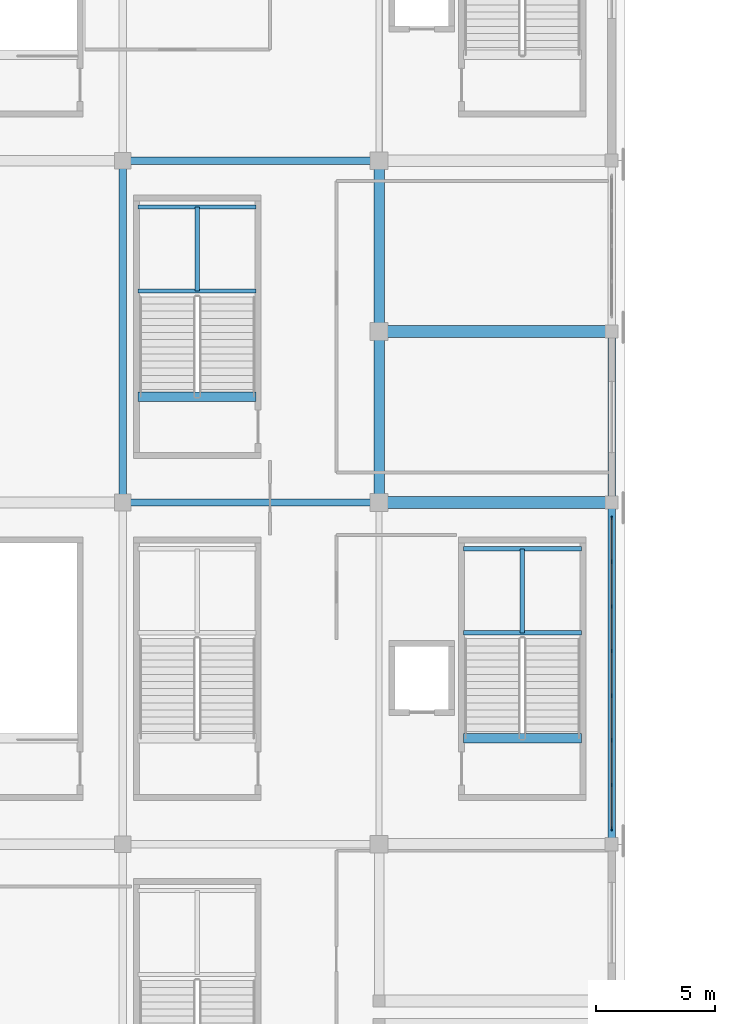
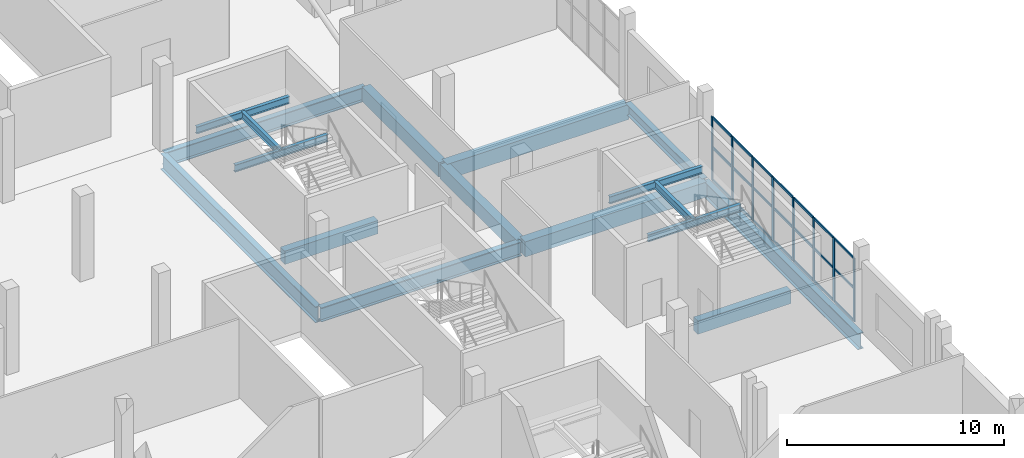
# One storey, part 43 of 129: 29 members, 17 beams, 1 element without a shape of its own.
"""IFC4 building model written with IfcOpenShell, lengths in metres."""

import ifcopenshell
import ifcopenshell.guid

model = None  # the IFC model being written
_history = None  # IfcOwnerHistory: only IFC2X3 demands one
_inside = {}  # id of a spatial element -> (the spatial element, [elements in it])
_under = {}  # id of a project, library or spatial element -> (it, [spatial elements below it])
_declared = {}  # id of a project -> (the project, [libraries it declares])
_typed = {}  # id of a type object -> (the type object, [elements of that type])
_made_of = {}  # id of a material, layer set ... -> (it, [elements and type objects made of it])


def new_model(schema):
    """Start an empty IFC model of exactly this schema.

    Asked for "IFC4X3", IfcOpenShell would pick the latest addendum, in which some entities
    have other attributes; the version numbers below select the first issue.
    IFC2X3 requires an IfcOwnerHistory on every rooted entity: one is made here for all.
    """
    global model, _history
    if schema == "IFC4X3":
        model = ifcopenshell.file(schema_version=(4, 3, 0, 0))
    else:
        model = ifcopenshell.file(schema=schema)
    _inside.clear()
    _under.clear()
    _declared.clear()
    _typed.clear()
    _made_of.clear()
    _history = None
    if model.schema == "IFC2X3":
        org = make("IfcOrganization", Name="unknown")
        user = make(
            "IfcPersonAndOrganization",
            ThePerson=make("IfcPerson", FamilyName="unknown"),
            TheOrganization=org,
        )
        app = make(
            "IfcApplication",
            ApplicationDeveloper=org,
            Version="unknown",
            ApplicationFullName="unknown",
            ApplicationIdentifier="unknown",
        )
        _history = make(
            "IfcOwnerHistory",
            OwningUser=user,
            OwningApplication=app,
            ChangeAction="ADDED",
            CreationDate=0,
        )
    return model


def make(cls, **values):
    """One entity of the class cls with the attributes given. An attribute that is None is left unset."""
    return model.create_entity(
        cls, **{name: value for name, value in values.items() if value is not None}
    )


def rooted(cls, **values):
    """An entity with a GlobalId (a new one), such as an element, a storey or a relation."""
    return make(cls, GlobalId=ifcopenshell.guid.new(), OwnerHistory=_history, **values)


def si_unit(unit_type, name, prefix=None):
    """IfcSIUnit, for example si_unit("LENGTHUNIT", "METRE", prefix="MILLI")."""
    return make("IfcSIUnit", UnitType=unit_type, Prefix=prefix, Name=name)


def assignment(units):
    """IfcUnitAssignment: the units of a project."""
    return None if units is None else make("IfcUnitAssignment", Units=units)


def point(xyz):
    """IfcCartesianPoint."""
    return None if xyz is None else make("IfcCartesianPoint", Coordinates=xyz)


def direction(xyz):
    """IfcDirection."""
    return None if xyz is None else make("IfcDirection", DirectionRatios=xyz)


def frame(location, z_axis=None, x_axis=None):
    """IfcAxis2Placement3D, a coordinate frame: its origin and axes. An axis left out is left unset."""
    return make(
        "IfcAxis2Placement3D",
        Location=point(location),
        Axis=direction(z_axis),
        RefDirection=direction(x_axis),
    )


def frame_2d(location, x_axis=None):
    """IfcAxis2Placement2D, a coordinate frame in the plane: its origin and x axis."""
    return make(
        "IfcAxis2Placement2D", Location=point(location), RefDirection=direction(x_axis)
    )


def origin():
    """The frame at (0, 0, 0) with its axes left unset."""
    return frame((0.0, 0.0, 0.0))


def origin_2d():
    """The frame at (0, 0) in the plane with its x axis left unset."""
    return frame_2d((0.0, 0.0))


def place(relative_to, where):
    """IfcLocalPlacement: puts the frame where relative to a parent placement (None: the world)."""
    return make(
        "IfcLocalPlacement", PlacementRelTo=relative_to, RelativePlacement=where
    )


def context(
    kind, dimensions, precision=None, world=None, true_north=None, identifier=None
):
    """IfcGeometricRepresentationContext, for example the 3D "Model" context."""
    return make(
        "IfcGeometricRepresentationContext",
        ContextIdentifier=identifier,
        ContextType=kind,
        CoordinateSpaceDimension=dimensions,
        Precision=precision,
        WorldCoordinateSystem=world,
        TrueNorth=true_north,
    )


def subcontext(parent, identifier, kind, view, scale=None):
    """IfcGeometricRepresentationSubContext, for example "Body" below "Model"."""
    return make(
        "IfcGeometricRepresentationSubContext",
        ContextIdentifier=identifier,
        ContextType=kind,
        ParentContext=parent,
        TargetScale=scale,
        TargetView=view,
    )


def project(units=None, contexts=None):
    """IfcProject with its units and contexts."""
    return rooted(
        "IfcProject",
        Name="project",
        RepresentationContexts=contexts,
        UnitsInContext=assignment(units),
    )


def spatial(cls, under=None, at=None, **own):
    """A site, building, storey or space (cls), placed at a placement, below another one or the project."""
    s = rooted(cls, ObjectPlacement=at, **own)
    if under is not None:
        _under.setdefault(under.id(), (under, []))[1].append(s)
    return s


def profile(cls, at=None, kind="AREA", **sizes):
    """A parametric profile (cls). Its sizes go by their IFC names, for example OverallWidth=200.0."""
    return make(cls, ProfileType=kind, Position=at, **sizes)


def rectangle(**sizes):
    """IfcRectangleProfileDef."""
    return profile("IfcRectangleProfileDef", **sizes)


def i_section(**sizes):
    """IfcIShapeProfileDef."""
    return profile("IfcIShapeProfileDef", **sizes)


def extrude(swept, where, along, depth):
    """IfcExtrudedAreaSolid: the profile swept, set in the frame where, extruded along a direction by depth."""
    return make(
        "IfcExtrudedAreaSolid",
        SweptArea=swept,
        Position=where,
        ExtrudedDirection=direction(along),
        Depth=depth,
    )


def shape(context_of_items, identifier, shape_type, items):
    """IfcShapeRepresentation: the items that make up one representation, for example the "Body"."""
    return make(
        "IfcShapeRepresentation",
        ContextOfItems=context_of_items,
        RepresentationIdentifier=identifier,
        RepresentationType=shape_type,
        Items=items,
    )


def material(Name=None, Category=None):
    """IfcMaterial."""
    return make("IfcMaterial", Name=Name, Category=Category)


def material_profile(
    of_material, cross_section, Name=None, Category=None, Priority=None
):
    """IfcMaterialProfile: a cross section and its material."""
    return make(
        "IfcMaterialProfile",
        Name=Name,
        Material=of_material,
        Profile=cross_section,
        Priority=Priority,
        Category=Category,
    )


def profile_set(profiles, Name=None, composite=None):
    """IfcMaterialProfileSet."""
    return make(
        "IfcMaterialProfileSet",
        Name=Name,
        MaterialProfiles=profiles,
        CompositeProfile=composite,
    )


def made_of(thing, what):
    """Note that an element or type object is made of a material, layer set ...; save() writes the relation."""
    if what is not None:
        _made_of.setdefault(what.id(), (what, []))[1].append(thing)
    return thing


def type_object(cls, material=None, **own):
    """A type object (cls), such as IfcWallType, which elements share."""
    return made_of(rooted(cls, **own), material)


def element(
    cls,
    number,
    at=None,
    inside=None,
    cuts=None,
    type_object=None,
    material=None,
    context=None,
    identifier="Body",
    shape_type=None,
    held_by="IfcProductDefinitionShape",
    body=None,
    shapes=None,
    **own,
):
    """One element of the class cls, such as IfcWall. Its Tag is "e" and its number.

    at: its placement. inside: the storey or other place that contains it. cuts: it is an
    opening in that element (IfcRelVoidsElement). A single representation is given by context,
    identifier, shape_type and body (its items); several are given by shapes. held_by: the class
    of the entity that holds the representations. save() writes the other relations.
    """
    e = rooted(cls, Tag="e%d" % number, ObjectPlacement=at, **own)
    if body is not None:
        shapes = [shape(context, identifier, shape_type, body)]
    if shapes is not None:
        e.Representation = make(held_by, Representations=shapes)
    if inside is not None:
        _inside.setdefault(inside.id(), (inside, []))[1].append(e)
    if cuts is not None:
        rooted(
            "IfcRelVoidsElement", RelatingBuildingElement=cuts, RelatedOpeningElement=e
        )
    if type_object is not None:
        _typed.setdefault(type_object.id(), (type_object, []))[1].append(e)
    return made_of(e, material)


def aggregate(whole, parts):
    """IfcRelAggregates: a whole, such as a stair, and the parts it consists of."""
    return rooted("IfcRelAggregates", RelatingObject=whole, RelatedObjects=parts)


def save(model, path):
    """Write the relations noted so far, then the file.

    IfcRelAggregates (storeys below a building ...), IfcRelContainedInSpatialStructure (elements
    in a storey), IfcRelDefinesByType, IfcRelAssociatesMaterial and IfcRelDeclares: one each for
    every whole, place, type object, material and project.
    """
    for whole, parts in _under.values():
        aggregate(whole, parts)
    for where, things in _inside.values():
        rooted(
            "IfcRelContainedInSpatialStructure",
            RelatedElements=things,
            RelatingStructure=where,
        )
    for kind, things in _typed.values():
        rooted("IfcRelDefinesByType", RelatedObjects=things, RelatingType=kind)
    for what, things in _made_of.values():
        rooted("IfcRelAssociatesMaterial", RelatedObjects=things, RelatingMaterial=what)
    for by, libraries in _declared.values():
        rooted("IfcRelDeclares", RelatingContext=by, RelatedDefinitions=libraries)
    model.write(path)


model = new_model("IFC4")

# Units and contexts
model_context = context("Model", 3, precision=1e-05, world=origin(), true_north=direction((0.0, 1.0)))
body_context = subcontext(model_context, "Body", "Model", "MODEL_VIEW")
ifc_project = project(units=[si_unit("LENGTHUNIT", "METRE"), si_unit("AREAUNIT", "SQUARE_METRE"), si_unit("VOLUMEUNIT", "CUBIC_METRE"), si_unit("PLANEANGLEUNIT", "RADIAN"), si_unit("MASSUNIT", "GRAM", prefix="KILO")], contexts=[model_context])

# Site, building, storey
site_placement = place(None, origin())
site = spatial("IfcSite", under=ifc_project, at=site_placement, CompositionType="ELEMENT")
building_placement = place(site_placement, origin())
building = spatial("IfcBuilding", under=site, at=building_placement, Name="Koshinbarg Plaza Stadium", CompositionType="ELEMENT")
storey_placement = place(building_placement, frame((0.0, 0.0, 5.39990234375)))
storey = spatial("IfcBuildingStorey", under=building, at=storey_placement, Name="L01", CompositionType="ELEMENT", Elevation=5.39990234375)

# Beams
ifc_material_1 = material(Name="Concrete C40/50", Category="concrete")
ifc_material_profile_1 = material_profile(ifc_material_1, rectangle(XDim=0.39990234375, YDim=0.75, at=origin_2d()), Name="RC 400x750")
ifc_profile_set_1 = profile_set([ifc_material_profile_1], Name="Concrete C40/50")
beam_type_1 = type_object("IfcBeamType", Name="BM-RCG-03", PredefinedType="USERDEFINED", material=ifc_profile_set_1)
beam_1_placement = place(storey_placement, frame((212.14990234375, 87.56005859375, -0.375), z_axis=(1.0, 0.0, 0.0), x_axis=(0.0, 1.0, 0.0)))
element("IfcBeam", 1, at=beam_1_placement, inside=storey, type_object=beam_type_1, Name="L01 stair landing header beam C09", ObjectType="GIRDER", PredefinedType="USERDEFINED", context=body_context, shape_type="SweptSolid", body=[
    extrude(rectangle(XDim=0.39990234375, YDim=0.75, at=origin_2d()), origin(), (0.0, 0.0, 1.0), 4.97021484375),
])
beam_2_placement = place(storey_placement, frame((198.449951171875, 101.9599609375, -0.375), z_axis=(1.0, 0.0, 0.0), x_axis=(0.0, 1.0, 0.0)))
element("IfcBeam", 2, at=beam_2_placement, inside=storey, type_object=beam_type_1, Name="L01 stair landing header beam VX12", ObjectType="GIRDER", PredefinedType="USERDEFINED", context=body_context, shape_type="SweptSolid", body=[
    extrude(rectangle(XDim=0.39990234375, YDim=0.75, at=origin_2d()), origin(), (0.0, 0.0, 1.0), 4.969970703125),
])
ifc_material_profile_2 = material_profile(ifc_material_1, rectangle(XDim=0.449951171875, YDim=0.800048828125, at=origin_2d()), Name="RC 450x800")
ifc_profile_set_2 = profile_set([ifc_material_profile_2], Name="Concrete C40/50")
beam_type_2 = type_object("IfcBeamType", Name="BM-RCG-04", PredefinedType="USERDEFINED", material=ifc_profile_set_2)
beam_3_placement = place(storey_placement, frame((208.60009765625, 97.56005859375, -0.719970703125), z_axis=(0.0, 1.0, 0.0), x_axis=(-1.0, 0.0, 0.0)))
element("IfcBeam", 3, at=beam_3_placement, inside=storey, type_object=beam_type_2, Name="L01 Y girder 20/N-P", ObjectType="GIRDER", PredefinedType="USERDEFINED", context=body_context, shape_type="SweptSolid", body=[
    extrude(rectangle(XDim=0.449951171875, YDim=0.800048828125, at=origin_2d()), origin(), (0.0, 0.0, 1.0), 7.079833984375),
])
beam_4_placement = place(storey_placement, frame((208.60009765625, 104.760009765625, -0.719970703125), z_axis=(0.0, 1.0, 0.0), x_axis=(-1.0, 0.0, 0.0)))
element("IfcBeam", 4, at=beam_4_placement, inside=storey, type_object=beam_type_2, Name="L01 Y girder 20/P-Q", ObjectType="GIRDER", PredefinedType="USERDEFINED", context=body_context, shape_type="SweptSolid", body=[
    extrude(rectangle(XDim=0.449951171875, YDim=0.800048828125, at=origin_2d()), origin(), (0.0, 0.0, 1.0), 7.080078125),
])
ifc_material_profile_3 = material_profile(ifc_material_1, rectangle(XDim=0.5, YDim=0.85009765625, at=origin_2d()), Name="RC 500x850")
ifc_profile_set_3 = profile_set([ifc_material_profile_3], Name="Concrete C40/50")
beam_type_3 = type_object("IfcBeamType", Name="BM-RCG-05", PredefinedType="USERDEFINED", material=ifc_profile_set_3)
for number, where, z_axis, x_axis, name in (
    (5, (208.659912109375, 97.5, -0.744873046875), (1.0, 0.0, 0.0), (0.0, 1.0, 0.0), "L01 X girder N/20-21"),
    (6, (208.659912109375, 104.699951171875, -0.744873046875), (1.0, 0.0, 0.0), (0.0, 1.0, 0.0), "L01 X girder P/20-21"),
):
    element("IfcBeam", number, at=place(storey_placement, frame(where, z_axis=z_axis, x_axis=x_axis)), inside=storey, type_object=beam_type_3, Name=name, ObjectType="GIRDER", PredefinedType="USERDEFINED", context=body_context, shape_type="SweptSolid", body=[
        extrude(rectangle(XDim=0.5, YDim=0.85009765625, at=origin_2d()), origin(), (0.0, 0.0, 1.0), 9.68017578125),
    ])
ifc_material_2 = material(Name="Steel S355", Category="steel")
ifc_material_profile_4 = material_profile(ifc_material_2, i_section(OverallWidth=0.179931640625, OverallDepth=0.39990234375, WebThickness=0.008544921875, FlangeThickness=0.013427734375, at=origin_2d()), Name="IPE 400")
ifc_profile_set_4 = profile_set([ifc_material_profile_4], Name="Steel S355")
beam_type_4 = type_object("IfcBeamType", Name="BM-SBM-01", PredefinedType="BEAM", material=ifc_profile_set_4)
for number, where, z_axis, x_axis, name in (
    (7, (212.14990234375, 92.010009765625, 1.880126953125), (1.0, 0.0, 0.0), (0.0, 1.0, 0.0), "L01 Protected Exit Stair C09 landing trimmer beam 1"),
    (8, (212.14990234375, 95.550048828125, 1.880126953125), (1.0, 0.0, 0.0), (0.0, 1.0, 0.0), "L01 Protected Exit Stair C09 landing trimmer beam 2"),
):
    element("IfcBeam", number, at=place(storey_placement, frame(where, z_axis=z_axis, x_axis=x_axis)), inside=storey, type_object=beam_type_4, Name=name, PredefinedType="BEAM", context=body_context, shape_type="SweptSolid", body=[
        extrude(i_section(OverallWidth=0.179931640625, OverallDepth=0.39990234375, WebThickness=0.008544921875, FlangeThickness=0.013427734375, at=origin_2d()), origin(), (0.0, 0.0, 1.0), 4.97021484375),
    ])
beam_5_placement = place(storey_placement, frame((214.635009765625, 92.010009765625, 1.880126953125), z_axis=(0.0, 1.0, 0.0), x_axis=(-1.0, 0.0, 0.0)))
element("IfcBeam", 9, at=beam_5_placement, inside=storey, type_object=beam_type_4, Name="L01 Protected Exit Stair C09 landing trimmer beam 3", PredefinedType="BEAM", context=body_context, shape_type="SweptSolid", body=[
    extrude(i_section(OverallWidth=0.179931640625, OverallDepth=0.39990234375, WebThickness=0.008544921875, FlangeThickness=0.013427734375, at=origin_2d()), origin(), (0.0, 0.0, 1.0), 3.5400390625),
])
for number, where, z_axis, x_axis, name in (
    (10, (198.449951171875, 106.409912109375, 1.880126953125), (1.0, 0.0, 0.0), (0.0, 1.0, 0.0), "L01 Upper Vomitory Stair VX12 landing trimmer beam 1"),
    (11, (198.449951171875, 109.949951171875, 1.880126953125), (1.0, 0.0, 0.0), (0.0, 1.0, 0.0), "L01 Upper Vomitory Stair VX12 landing trimmer beam 2"),
):
    element("IfcBeam", number, at=place(storey_placement, frame(where, z_axis=z_axis, x_axis=x_axis)), inside=storey, type_object=beam_type_4, Name=name, PredefinedType="BEAM", context=body_context, shape_type="SweptSolid", body=[
        extrude(i_section(OverallWidth=0.179931640625, OverallDepth=0.39990234375, WebThickness=0.008544921875, FlangeThickness=0.013427734375, at=origin_2d()), origin(), (0.0, 0.0, 1.0), 4.969970703125),
    ])
beam_6_placement = place(storey_placement, frame((200.93505859375, 106.409912109375, 1.880126953125), z_axis=(0.0, 1.0, 0.0), x_axis=(-1.0, 0.0, 0.0)))
element("IfcBeam", 12, at=beam_6_placement, inside=storey, type_object=beam_type_4, Name="L01 Upper Vomitory Stair VX12 landing trimmer beam 3", PredefinedType="BEAM", context=body_context, shape_type="SweptSolid", body=[
    extrude(i_section(OverallWidth=0.179931640625, OverallDepth=0.39990234375, WebThickness=0.008544921875, FlangeThickness=0.013427734375, at=origin_2d()), origin(), (0.0, 0.0, 1.0), 3.5400390625),
])
ifc_material_profile_5 = material_profile(ifc_material_2, i_section(OverallWidth=0.300048828125, OverallDepth=0.60009765625, WebThickness=0.015380859375, FlangeThickness=0.030029296875, at=origin_2d()), Name="HEB 600")
ifc_profile_set_5 = profile_set([ifc_material_profile_5], Name="Steel S355")
beam_type_5 = type_object("IfcBeamType", Name="BM-SGIR-02", PredefinedType="USERDEFINED", material=ifc_profile_set_5)
beam_7_placement = place(storey_placement, frame((218.39990234375, 97.56005859375, -0.619873046875), z_axis=(0.0, 1.0, 0.0), x_axis=(-1.0, 0.0, 0.0)))
element("IfcBeam", 13, at=beam_7_placement, inside=storey, type_object=beam_type_5, Name="L01 Y girder 21/N-P", ObjectType="GIRDER", PredefinedType="USERDEFINED", context=body_context, shape_type="SweptSolid", body=[
    extrude(i_section(OverallWidth=0.300048828125, OverallDepth=0.60009765625, WebThickness=0.015380859375, FlangeThickness=0.030029296875, at=origin_2d()), origin(), (0.0, 0.0, 1.0), 7.079833984375),
])
ifc_material_profile_6 = material_profile(ifc_material_2, i_section(OverallWidth=0.300048828125, OverallDepth=0.800048828125, WebThickness=0.017578125, FlangeThickness=0.032958984375, at=origin_2d()), Name="HEB 800")
ifc_profile_set_6 = profile_set([ifc_material_profile_6], Name="Steel S355")
beam_type_6 = type_object("IfcBeamType", Name="BM-SGIR-04", PredefinedType="USERDEFINED", material=ifc_profile_set_6)
for number, where, z_axis, x_axis, name in (
    (14, (197.860107421875, 97.5, -0.719970703125), (1.0, 0.0, 0.0), (0.0, 1.0, 0.0), "L01 X girder N/19-20"),
    (15, (197.860107421875, 111.89990234375, -0.719970703125), (1.0, 0.0, 0.0), (0.0, 1.0, 0.0), "L01 X girder Q/19-20"),
):
    element("IfcBeam", number, at=place(storey_placement, frame(where, z_axis=z_axis, x_axis=x_axis)), inside=storey, type_object=beam_type_6, Name=name, ObjectType="GIRDER", PredefinedType="USERDEFINED", context=body_context, shape_type="SweptSolid", body=[
        extrude(i_section(OverallWidth=0.300048828125, OverallDepth=0.800048828125, WebThickness=0.017578125, FlangeThickness=0.032958984375, at=origin_2d()), origin(), (0.0, 0.0, 1.0), 10.679931640625),
    ])
ifc_material_profile_7 = material_profile(ifc_material_2, i_section(OverallWidth=0.300048828125, OverallDepth=0.89990234375, WebThickness=0.0185546875, FlangeThickness=0.034912109375, at=origin_2d()), Name="HEB 900")
ifc_profile_set_7 = profile_set([ifc_material_profile_7], Name="Steel S355")
beam_type_7 = type_object("IfcBeamType", Name="BM-SGIR-05", PredefinedType="USERDEFINED", material=ifc_profile_set_7)
for number, where, z_axis, x_axis, name in (
    (16, (197.800048828125, 97.56005859375, -0.77001953125), (0.0, 1.0, 0.0), (-1.0, 0.0, 0.0), "L01 Y girder 19/N-Q"),
    (17, (218.39990234375, 83.159912109375, -0.77001953125), (0.0, 1.0, 0.0), (-1.0, 0.0, 0.0), "L01 Y girder 21/M-N"),
):
    element("IfcBeam", number, at=place(storey_placement, frame(where, z_axis=z_axis, x_axis=x_axis)), inside=storey, type_object=beam_type_7, Name=name, ObjectType="GIRDER", PredefinedType="USERDEFINED", context=body_context, shape_type="SweptSolid", body=[
        extrude(i_section(OverallWidth=0.300048828125, OverallDepth=0.89990234375, WebThickness=0.0185546875, FlangeThickness=0.034912109375, at=origin_2d()), origin(), (0.0, 0.0, 1.0), 14.280029296875),
    ])

# Curtain wall, members
ifc_material_3 = material(Name="Thermally broken anodised aluminium and low-E double glazing", Category="aluminium")
curtain_wall_type = type_object("IfcCurtainWallType", Name="CW-SYS-06", PredefinedType="NOTDEFINED", material=ifc_material_3)
curtain_wall_placement = place(storey_placement, origin())
curtain_wall = element("IfcCurtainWall", 18, at=curtain_wall_placement, inside=storey, type_object=curtain_wall_type, Name="L01 unitised curtain wall CW-L01-021", PredefinedType="NOTDEFINED")
ifc_material_4 = material(Name="Anodised aluminium mullion", Category="aluminium")
ifc_material_profile_8 = material_profile(ifc_material_4, rectangle(XDim=0.06005859375, YDim=0.159912109375, at=origin_2d()), Name="ALU 60x160")
ifc_profile_set_8 = profile_set([ifc_material_profile_8], Name="Anodised aluminium mullion")
member_type_1 = type_object("IfcMemberType", Name="CW-MUL-02", PredefinedType="MULLION", material=ifc_profile_set_8)
member_1_placement = place(storey_placement, frame((218.39990234375, 96.85009765625, 0.0), z_axis=(0.0, 0.0, 1.0), x_axis=(1.0, 0.0, 0.0)))
member_1 = element("IfcMember", 19, at=member_1_placement, type_object=member_type_1, Name="CW06 mullion 1", PredefinedType="MULLION", context=body_context, shape_type="SweptSolid", body=[
    extrude(rectangle(XDim=0.06005859375, YDim=0.159912109375, at=origin_2d()), origin(), (0.0, 0.0, 1.0), 3.580078125),
])
member_2_placement = place(storey_placement, frame((218.39990234375, 95.0, 0.0), z_axis=(0.0, 0.0, 1.0), x_axis=(1.0, 0.0, 0.0)))
member_2 = element("IfcMember", 20, at=member_2_placement, type_object=member_type_1, Name="CW06 mullion 2", PredefinedType="MULLION", context=body_context, shape_type="SweptSolid", body=[
    extrude(rectangle(XDim=0.06005859375, YDim=0.159912109375, at=origin_2d()), origin(), (0.0, 0.0, 1.0), 3.580078125),
])
member_3_placement = place(storey_placement, frame((218.39990234375, 93.1201171875, 0.0), z_axis=(0.0, 0.0, 1.0), x_axis=(1.0, 0.0, 0.0)))
member_3 = element("IfcMember", 21, at=member_3_placement, type_object=member_type_1, Name="CW06 mullion 3", PredefinedType="MULLION", context=body_context, shape_type="SweptSolid", body=[
    extrude(rectangle(XDim=0.06005859375, YDim=0.159912109375, at=origin_2d()), origin(), (0.0, 0.0, 1.0), 3.580078125),
])
member_4_placement = place(storey_placement, frame((218.39990234375, 91.239990234375, 0.0), z_axis=(0.0, 0.0, 1.0), x_axis=(1.0, 0.0, 0.0)))
member_4 = element("IfcMember", 22, at=member_4_placement, type_object=member_type_1, Name="CW06 mullion 4", PredefinedType="MULLION", context=body_context, shape_type="SweptSolid", body=[
    extrude(rectangle(XDim=0.06005859375, YDim=0.159912109375, at=origin_2d()), origin(), (0.0, 0.0, 1.0), 3.580078125),
])
member_5_placement = place(storey_placement, frame((218.39990234375, 89.360107421875, 0.0), z_axis=(0.0, 0.0, 1.0), x_axis=(1.0, 0.0, 0.0)))
member_5 = element("IfcMember", 23, at=member_5_placement, type_object=member_type_1, Name="CW06 mullion 5", PredefinedType="MULLION", context=body_context, shape_type="SweptSolid", body=[
    extrude(rectangle(XDim=0.06005859375, YDim=0.159912109375, at=origin_2d()), origin(), (0.0, 0.0, 1.0), 3.580078125),
])
member_6_placement = place(storey_placement, frame((218.39990234375, 87.47998046875, 0.0), z_axis=(0.0, 0.0, 1.0), x_axis=(1.0, 0.0, 0.0)))
member_6 = element("IfcMember", 24, at=member_6_placement, type_object=member_type_1, Name="CW06 mullion 6", PredefinedType="MULLION", context=body_context, shape_type="SweptSolid", body=[
    extrude(rectangle(XDim=0.06005859375, YDim=0.159912109375, at=origin_2d()), origin(), (0.0, 0.0, 1.0), 3.580078125),
])
member_7_placement = place(storey_placement, frame((218.39990234375, 85.60009765625, 0.0), z_axis=(0.0, 0.0, 1.0), x_axis=(1.0, 0.0, 0.0)))
member_7 = element("IfcMember", 25, at=member_7_placement, type_object=member_type_1, Name="CW06 mullion 7", PredefinedType="MULLION", context=body_context, shape_type="SweptSolid", body=[
    extrude(rectangle(XDim=0.06005859375, YDim=0.159912109375, at=origin_2d()), origin(), (0.0, 0.0, 1.0), 3.580078125),
])
member_8_placement = place(storey_placement, frame((218.39990234375, 83.75, 0.0), z_axis=(0.0, 0.0, 1.0), x_axis=(1.0, 0.0, 0.0)))
member_8 = element("IfcMember", 26, at=member_8_placement, type_object=member_type_1, Name="CW06 mullion 8", PredefinedType="MULLION", context=body_context, shape_type="SweptSolid", body=[
    extrude(rectangle(XDim=0.06005859375, YDim=0.159912109375, at=origin_2d()), origin(), (0.0, 0.0, 1.0), 3.580078125),
])
ifc_material_5 = material(Name="Anodised aluminium transom", Category="aluminium")
ifc_material_profile_9 = material_profile(ifc_material_5, rectangle(XDim=0.06005859375, YDim=0.1298828125, at=origin_2d()), Name="ALU 60x130")
ifc_profile_set_9 = profile_set([ifc_material_profile_9], Name="Anodised aluminium transom")
member_type_2 = type_object("IfcMemberType", Name="CW-TRN-02", PredefinedType="USERDEFINED", material=ifc_profile_set_9)
member_9_placement = place(storey_placement, frame((218.39990234375, 96.820068359375, 0.030029296875), z_axis=(0.0, -1.0, 0.0), x_axis=(1.0, 0.0, 0.0)))
member_9 = element("IfcMember", 27, at=member_9_placement, type_object=member_type_2, Name="CW06 transom 1.1", ObjectType="TRANSOM", PredefinedType="USERDEFINED", context=body_context, shape_type="SweptSolid", body=[
    extrude(rectangle(XDim=0.06005859375, YDim=0.1298828125, at=origin_2d()), origin(), (0.0, 0.0, 1.0), 1.7900390625),
])
member_10_placement = place(storey_placement, frame((218.39990234375, 96.820068359375, 1.86181640625), z_axis=(0.0, -1.0, 0.0), x_axis=(1.0, 0.0, 0.0)))
member_10 = element("IfcMember", 28, at=member_10_placement, type_object=member_type_2, Name="CW06 transom 1.2", ObjectType="TRANSOM", PredefinedType="USERDEFINED", context=body_context, shape_type="SweptSolid", body=[
    extrude(rectangle(XDim=0.06005859375, YDim=0.1298828125, at=origin_2d()), origin(), (0.0, 0.0, 1.0), 1.7900390625),
])
member_11_placement = place(storey_placement, frame((218.39990234375, 96.820068359375, 3.550048828125), z_axis=(0.0, -1.0, 0.0), x_axis=(1.0, 0.0, 0.0)))
member_11 = element("IfcMember", 29, at=member_11_placement, type_object=member_type_2, Name="CW06 transom 1.3", ObjectType="TRANSOM", PredefinedType="USERDEFINED", context=body_context, shape_type="SweptSolid", body=[
    extrude(rectangle(XDim=0.06005859375, YDim=0.1298828125, at=origin_2d()), origin(), (0.0, 0.0, 1.0), 1.7900390625),
])
member_12_placement = place(storey_placement, frame((218.39990234375, 94.969970703125, 0.030029296875), z_axis=(0.0, -1.0, 0.0), x_axis=(1.0, 0.0, 0.0)))
member_12 = element("IfcMember", 30, at=member_12_placement, type_object=member_type_2, Name="CW06 transom 2.1", ObjectType="TRANSOM", PredefinedType="USERDEFINED", context=body_context, shape_type="SweptSolid", body=[
    extrude(rectangle(XDim=0.06005859375, YDim=0.1298828125, at=origin_2d()), origin(), (0.0, 0.0, 1.0), 1.820068359375),
])
member_13_placement = place(storey_placement, frame((218.39990234375, 94.969970703125, 1.86181640625), z_axis=(0.0, -1.0, 0.0), x_axis=(1.0, 0.0, 0.0)))
member_13 = element("IfcMember", 31, at=member_13_placement, type_object=member_type_2, Name="CW06 transom 2.2", ObjectType="TRANSOM", PredefinedType="USERDEFINED", context=body_context, shape_type="SweptSolid", body=[
    extrude(rectangle(XDim=0.06005859375, YDim=0.1298828125, at=origin_2d()), origin(), (0.0, 0.0, 1.0), 1.820068359375),
])
member_14_placement = place(storey_placement, frame((218.39990234375, 94.969970703125, 3.550048828125), z_axis=(0.0, -1.0, 0.0), x_axis=(1.0, 0.0, 0.0)))
member_14 = element("IfcMember", 32, at=member_14_placement, type_object=member_type_2, Name="CW06 transom 2.3", ObjectType="TRANSOM", PredefinedType="USERDEFINED", context=body_context, shape_type="SweptSolid", body=[
    extrude(rectangle(XDim=0.06005859375, YDim=0.1298828125, at=origin_2d()), origin(), (0.0, 0.0, 1.0), 1.820068359375),
])
member_15_placement = place(storey_placement, frame((218.39990234375, 93.090087890625, 0.030029296875), z_axis=(0.0, -1.0, 0.0), x_axis=(1.0, 0.0, 0.0)))
member_15 = element("IfcMember", 33, at=member_15_placement, type_object=member_type_2, Name="CW06 transom 3.1", ObjectType="TRANSOM", PredefinedType="USERDEFINED", context=body_context, shape_type="SweptSolid", body=[
    extrude(rectangle(XDim=0.06005859375, YDim=0.1298828125, at=origin_2d()), origin(), (0.0, 0.0, 1.0), 1.820068359375),
])
member_16_placement = place(storey_placement, frame((218.39990234375, 93.090087890625, 1.86181640625), z_axis=(0.0, -1.0, 0.0), x_axis=(1.0, 0.0, 0.0)))
member_16 = element("IfcMember", 34, at=member_16_placement, type_object=member_type_2, Name="CW06 transom 3.2", ObjectType="TRANSOM", PredefinedType="USERDEFINED", context=body_context, shape_type="SweptSolid", body=[
    extrude(rectangle(XDim=0.06005859375, YDim=0.1298828125, at=origin_2d()), origin(), (0.0, 0.0, 1.0), 1.820068359375),
])
member_17_placement = place(storey_placement, frame((218.39990234375, 93.090087890625, 3.550048828125), z_axis=(0.0, -1.0, 0.0), x_axis=(1.0, 0.0, 0.0)))
member_17 = element("IfcMember", 35, at=member_17_placement, type_object=member_type_2, Name="CW06 transom 3.3", ObjectType="TRANSOM", PredefinedType="USERDEFINED", context=body_context, shape_type="SweptSolid", body=[
    extrude(rectangle(XDim=0.06005859375, YDim=0.1298828125, at=origin_2d()), origin(), (0.0, 0.0, 1.0), 1.820068359375),
])
member_18_placement = place(storey_placement, frame((218.39990234375, 91.2099609375, 0.030029296875), z_axis=(0.0, -1.0, 0.0), x_axis=(1.0, 0.0, 0.0)))
member_18 = element("IfcMember", 36, at=member_18_placement, type_object=member_type_2, Name="CW06 transom 4.1", ObjectType="TRANSOM", PredefinedType="USERDEFINED", context=body_context, shape_type="SweptSolid", body=[
    extrude(rectangle(XDim=0.06005859375, YDim=0.1298828125, at=origin_2d()), origin(), (0.0, 0.0, 1.0), 1.820068359375),
])
member_19_placement = place(storey_placement, frame((218.39990234375, 91.2099609375, 1.86181640625), z_axis=(0.0, -1.0, 0.0), x_axis=(1.0, 0.0, 0.0)))
member_19 = element("IfcMember", 37, at=member_19_placement, type_object=member_type_2, Name="CW06 transom 4.2", ObjectType="TRANSOM", PredefinedType="USERDEFINED", context=body_context, shape_type="SweptSolid", body=[
    extrude(rectangle(XDim=0.06005859375, YDim=0.1298828125, at=origin_2d()), origin(), (0.0, 0.0, 1.0), 1.820068359375),
])
member_20_placement = place(storey_placement, frame((218.39990234375, 91.2099609375, 3.550048828125), z_axis=(0.0, -1.0, 0.0), x_axis=(1.0, 0.0, 0.0)))
member_20 = element("IfcMember", 38, at=member_20_placement, type_object=member_type_2, Name="CW06 transom 4.3", ObjectType="TRANSOM", PredefinedType="USERDEFINED", context=body_context, shape_type="SweptSolid", body=[
    extrude(rectangle(XDim=0.06005859375, YDim=0.1298828125, at=origin_2d()), origin(), (0.0, 0.0, 1.0), 1.820068359375),
])
member_21_placement = place(storey_placement, frame((218.39990234375, 89.330078125, 0.030029296875), z_axis=(0.0, -1.0, 0.0), x_axis=(1.0, 0.0, 0.0)))
member_21 = element("IfcMember", 39, at=member_21_placement, type_object=member_type_2, Name="CW06 transom 5.1", ObjectType="TRANSOM", PredefinedType="USERDEFINED", context=body_context, shape_type="SweptSolid", body=[
    extrude(rectangle(XDim=0.06005859375, YDim=0.1298828125, at=origin_2d()), origin(), (0.0, 0.0, 1.0), 1.820068359375),
])
member_22_placement = place(storey_placement, frame((218.39990234375, 89.330078125, 1.86181640625), z_axis=(0.0, -1.0, 0.0), x_axis=(1.0, 0.0, 0.0)))
member_22 = element("IfcMember", 40, at=member_22_placement, type_object=member_type_2, Name="CW06 transom 5.2", ObjectType="TRANSOM", PredefinedType="USERDEFINED", context=body_context, shape_type="SweptSolid", body=[
    extrude(rectangle(XDim=0.06005859375, YDim=0.1298828125, at=origin_2d()), origin(), (0.0, 0.0, 1.0), 1.820068359375),
])
member_23_placement = place(storey_placement, frame((218.39990234375, 89.330078125, 3.550048828125), z_axis=(0.0, -1.0, 0.0), x_axis=(1.0, 0.0, 0.0)))
member_23 = element("IfcMember", 41, at=member_23_placement, type_object=member_type_2, Name="CW06 transom 5.3", ObjectType="TRANSOM", PredefinedType="USERDEFINED", context=body_context, shape_type="SweptSolid", body=[
    extrude(rectangle(XDim=0.06005859375, YDim=0.1298828125, at=origin_2d()), origin(), (0.0, 0.0, 1.0), 1.820068359375),
])
member_24_placement = place(storey_placement, frame((218.39990234375, 87.449951171875, 0.030029296875), z_axis=(0.0, -1.0, 0.0), x_axis=(1.0, 0.0, 0.0)))
member_24 = element("IfcMember", 42, at=member_24_placement, type_object=member_type_2, Name="CW06 transom 6.1", ObjectType="TRANSOM", PredefinedType="USERDEFINED", context=body_context, shape_type="SweptSolid", body=[
    extrude(rectangle(XDim=0.06005859375, YDim=0.1298828125, at=origin_2d()), origin(), (0.0, 0.0, 1.0), 1.820068359375),
])
member_25_placement = place(storey_placement, frame((218.39990234375, 87.449951171875, 1.86181640625), z_axis=(0.0, -1.0, 0.0), x_axis=(1.0, 0.0, 0.0)))
member_25 = element("IfcMember", 43, at=member_25_placement, type_object=member_type_2, Name="CW06 transom 6.2", ObjectType="TRANSOM", PredefinedType="USERDEFINED", context=body_context, shape_type="SweptSolid", body=[
    extrude(rectangle(XDim=0.06005859375, YDim=0.1298828125, at=origin_2d()), origin(), (0.0, 0.0, 1.0), 1.820068359375),
])
member_26_placement = place(storey_placement, frame((218.39990234375, 87.449951171875, 3.550048828125), z_axis=(0.0, -1.0, 0.0), x_axis=(1.0, 0.0, 0.0)))
member_26 = element("IfcMember", 44, at=member_26_placement, type_object=member_type_2, Name="CW06 transom 6.3", ObjectType="TRANSOM", PredefinedType="USERDEFINED", context=body_context, shape_type="SweptSolid", body=[
    extrude(rectangle(XDim=0.06005859375, YDim=0.1298828125, at=origin_2d()), origin(), (0.0, 0.0, 1.0), 1.820068359375),
])
member_27_placement = place(storey_placement, frame((218.39990234375, 85.570068359375, 0.030029296875), z_axis=(0.0, -1.0, 0.0), x_axis=(1.0, 0.0, 0.0)))
member_27 = element("IfcMember", 45, at=member_27_placement, type_object=member_type_2, Name="CW06 transom 7.1", ObjectType="TRANSOM", PredefinedType="USERDEFINED", context=body_context, shape_type="SweptSolid", body=[
    extrude(rectangle(XDim=0.06005859375, YDim=0.1298828125, at=origin_2d()), origin(), (0.0, 0.0, 1.0), 1.7900390625),
])
member_28_placement = place(storey_placement, frame((218.39990234375, 85.570068359375, 1.86181640625), z_axis=(0.0, -1.0, 0.0), x_axis=(1.0, 0.0, 0.0)))
member_28 = element("IfcMember", 46, at=member_28_placement, type_object=member_type_2, Name="CW06 transom 7.2", ObjectType="TRANSOM", PredefinedType="USERDEFINED", context=body_context, shape_type="SweptSolid", body=[
    extrude(rectangle(XDim=0.06005859375, YDim=0.1298828125, at=origin_2d()), origin(), (0.0, 0.0, 1.0), 1.7900390625),
])
member_29_placement = place(storey_placement, frame((218.39990234375, 85.570068359375, 3.550048828125), z_axis=(0.0, -1.0, 0.0), x_axis=(1.0, 0.0, 0.0)))
member_29 = element("IfcMember", 47, at=member_29_placement, type_object=member_type_2, Name="CW06 transom 7.3", ObjectType="TRANSOM", PredefinedType="USERDEFINED", context=body_context, shape_type="SweptSolid", body=[
    extrude(rectangle(XDim=0.06005859375, YDim=0.1298828125, at=origin_2d()), origin(), (0.0, 0.0, 1.0), 1.7900390625),
])
aggregate(curtain_wall, [member_1, member_2, member_3, member_4, member_5, member_6, member_7, member_8, member_9, member_10, member_11, member_12, member_13, member_14, member_15, member_16, member_17, member_18, member_19, member_20, member_21, member_22, member_23, member_24, member_25, member_26, member_27, member_28, member_29])

save(model, "model.ifc")
